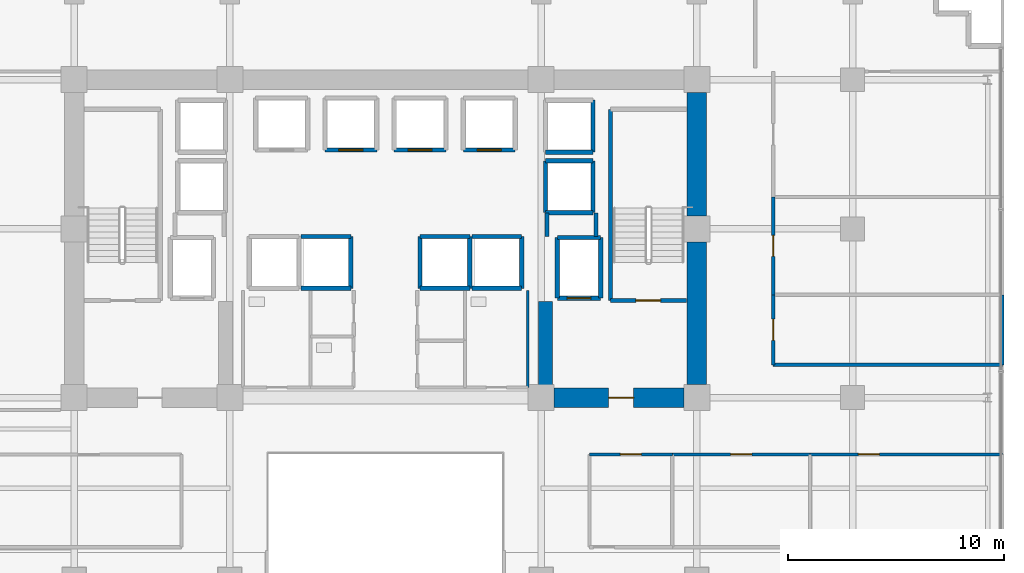
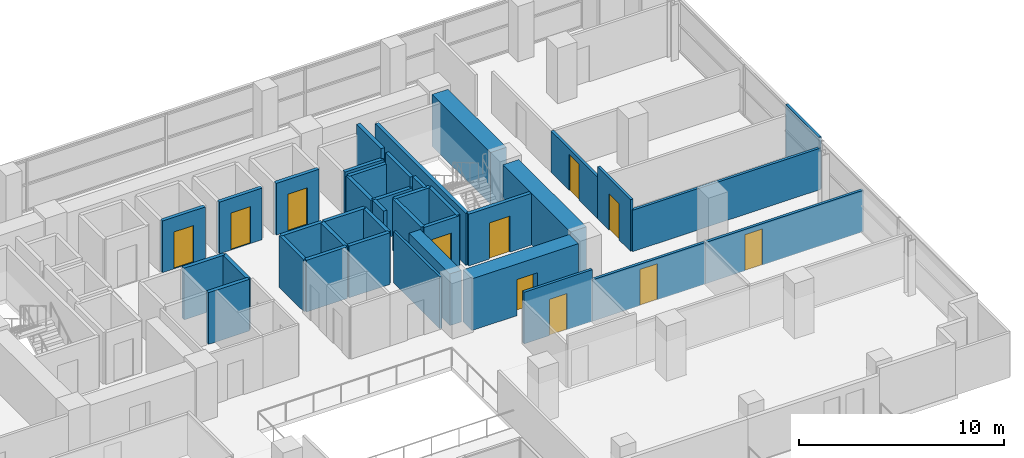
# One storey, part 25 of 31: 39 walls, 11 doors, 11 openings.
"""IFC4 building model written with IfcOpenShell, lengths in metres."""

from ifc_helpers import new_model, si_unit, direction, frame, frame_2d, origin, place, context, subcontext, project, spatial, rectangle, extrude, source, transform, mapped, material, layer, layer_set, type_object, element, fill, save


model = new_model("IFC4")

# Units and contexts
model_context = context("Model", 3, precision=1e-05, world=origin(), true_north=direction((0.0, 1.0)))
body_context = subcontext(model_context, "Body", "Model", "MODEL_VIEW")
ifc_project = project(units=[si_unit("LENGTHUNIT", "METRE"), si_unit("AREAUNIT", "SQUARE_METRE"), si_unit("VOLUMEUNIT", "CUBIC_METRE"), si_unit("PLANEANGLEUNIT", "RADIAN"), si_unit("MASSUNIT", "GRAM", prefix="KILO")], contexts=[model_context])

# Site, building, storey
site_placement = place(None, origin())
site = spatial("IfcSite", under=ifc_project, at=site_placement, CompositionType="ELEMENT")
building_placement = place(site_placement, origin())
building = spatial("IfcBuilding", under=site, at=building_placement, Name="Zarnakvel Exchange Tower", CompositionType="ELEMENT")
storey_placement = place(building_placement, frame((0.0, 0.0, 47.199951171875)))
storey = spatial("IfcBuildingStorey", under=building, at=storey_placement, Name="L12", CompositionType="ELEMENT", Elevation=47.199951171875)

# Walls
ifc_material_1 = material(Name="Concrete C80/95", Category="concrete")
ifc_layer_1 = layer(ifc_material_1, 0.89990234375)
ifc_layer_set_1 = layer_set([ifc_layer_1], Name="Concrete C80/95")
wall_type_1 = type_object("IfcWallType", Name="CW-C1", PredefinedType="SHEAR", material=ifc_layer_set_1)
wall_1_placement = place(storey_placement, frame((14.39990234375, -0.60009765625, 0.0), z_axis=(0.0, 0.0, 1.0), x_axis=(0.0, 1.0, 0.0)))
element("IfcWall", 1, at=wall_1_placement, inside=storey, type_object=wall_type_1, Name="L12 Rear Core Shear Wall E1 (CW-C1)", PredefinedType="SHEAR", context=body_context, shape_type="SweptSolid", body=[
    extrude(rectangle(XDim=6.60009765625, YDim=0.89990234375, at=frame_2d((3.300048828125, 0.0))), origin(), (0.0, 0.0, 1.0), 3.074951171875),
])
wall_2_placement = place(storey_placement, frame((14.39990234375, 7.199951171875, 0.0), z_axis=(0.0, 0.0, 1.0), x_axis=(0.0, 1.0, 0.0)))
element("IfcWall", 2, at=wall_2_placement, inside=storey, type_object=wall_type_1, Name="L12 Rear Core Shear Wall E2 (CW-C1)", PredefinedType="SHEAR", context=body_context, shape_type="SweptSolid", body=[
    extrude(rectangle(XDim=5.699951171875, YDim=0.89990234375, at=frame_2d((2.85009765625, 0.0))), origin(), (0.0, 0.0, 1.0), 3.074951171875),
])

# Wall, opening, door
wall_3_placement = place(storey_placement, frame((13.800048828125, -1.199951171875, 0.0), z_axis=(0.0, 0.0, 1.0), x_axis=(-1.0, 0.0, 0.0)))
wall_3 = element("IfcWall", 3, at=wall_3_placement, inside=storey, type_object=wall_type_1, Name="L12 Rear Core Shear Wall SE (CW-C1)", PredefinedType="SHEAR", context=body_context, shape_type="SweptSolid", body=[
    extrude(rectangle(XDim=6.0, YDim=0.89990234375, at=frame_2d((3.0, 0.0))), origin(), (0.0, 0.0, 1.0), 3.074951171875),
])
opening_1_placement = place(wall_3_placement, frame((2.324951171875, 0.0, 0.0)))
opening_1 = element("IfcOpeningElement", 4, at=opening_1_placement, cuts=wall_3, Name="Opening D-L12-04", PredefinedType="OPENING", context=body_context, shape_type="SweptSolid", body=[
    extrude(rectangle(XDim=1.14990234375, YDim=2.14990234375, at=frame_2d((0.574951171875, 1.074951171875))), frame((0.0, 0.4599609375, 0.0), z_axis=(0.0, -1.0, 0.0), x_axis=(1.0, 0.0, 0.0)), (0.0, 0.0, 1.0), 0.919921875),
])
ifc_material_2 = material(Name="Painted Galvanised Steel S355", Category="steel")
door_type_1 = type_object("IfcDoorType", Name="DT-04", OperationType="NOTDEFINED", PredefinedType="DOOR", material=ifc_material_2)
shared_shape_1 = source(origin(), body_context, "Body", "SweptSolid", [
    extrude(rectangle(XDim=1.14990234375, YDim=2.14990234375, at=frame_2d((0.574951171875, 1.074951171875))), frame((0.0, 0.02490234375, 0.0), z_axis=(0.0, -1.0, 0.0), x_axis=(1.0, 0.0, 0.0)), (0.0, 0.0, 1.0), 0.050048828125),
])
door_1_placement = place(opening_1_placement, origin())
door_1 = element("IfcDoor", 5, at=door_1_placement, inside=storey, type_object=door_type_1, Name="L12 Firefighting Lobby East Door D-L12-04", OperationType="SINGLE_SWING_RIGHT", OverallHeight=2.14990234375, OverallWidth=1.14990234375, PredefinedType="DOOR", context=body_context, shape_type="MappedRepresentation", body=[
    mapped(shared_shape_1, transform((0.0, 0.0, 0.0), x_axis=(1.0, 0.0, 0.0), y_axis=(0.0, 1.0, 0.0), z_axis=(0.0, 0.0, 1.0), scale=1.0)),
])
fill(opening_1, door_1)

# Wall
ifc_layer_2 = layer(ifc_material_1, 0.64990234375)
ifc_layer_set_2 = layer_set([ifc_layer_2], Name="Concrete C80/95")
wall_type_2 = type_object("IfcWallType", Name="CW-C2", PredefinedType="SHEAR", material=ifc_layer_set_2)
wall_4_placement = place(storey_placement, frame((7.39990234375, -0.75, 0.0), z_axis=(0.0, 0.0, 1.0), x_axis=(0.0, 1.0, 0.0)))
element("IfcWall", 6, at=wall_4_placement, inside=storey, type_object=wall_type_2, Name="L12 Rear Core Shear Wall IE (CW-C2)", PredefinedType="SHEAR", context=body_context, shape_type="SweptSolid", body=[
    extrude(rectangle(XDim=4.0, YDim=0.64990234375, at=frame_2d((2.0, 0.0))), origin(), (0.0, 0.0, 1.0), 3.074951171875),
])

# Wall, opening, door
ifc_material_3 = material(Name="Fire-Rated Gypsum Stud Partition", Category="gypsum")
ifc_layer_3 = layer(ifc_material_3, 0.14990234375)
ifc_layer_set_3 = layer_set([ifc_layer_3], Name="Fire-Rated Gypsum Stud Partition")
wall_type_3 = type_object("IfcWallType", Name="PT-01", PredefinedType="PARTITIONING", material=ifc_layer_set_3)
wall_5_placement = place(storey_placement, frame((9.429931640625, -3.830078125, 0.0), z_axis=(0.0, 0.0, 1.0), x_axis=(1.0, 0.0, 0.0)))
wall_5 = element("IfcWall", 7, at=wall_5_placement, inside=storey, type_object=wall_type_3, Name="L12 Partition Wall PWALL-L12-037 (PT-01)", PredefinedType="PARTITIONING", context=body_context, shape_type="SweptSolid", body=[
    extrude(rectangle(XDim=3.838134765625, YDim=0.14990234375, at=frame_2d((1.9189453125, 0.0))), origin(), (0.0, 0.0, 1.0), 3.074951171875),
])
opening_2_placement = place(wall_5_placement, frame((1.428955078125, 0.0, 0.0)))
opening_2 = element("IfcOpeningElement", 8, at=opening_2_placement, cuts=wall_5, Name="Opening D-L12-14", PredefinedType="OPENING", context=body_context, shape_type="SweptSolid", body=[
    extrude(rectangle(XDim=0.97998046875, YDim=2.14990234375, at=frame_2d((0.489990234375, 1.074951171875))), frame((0.0, 0.0849609375, 0.0), z_axis=(0.0, -1.0, 0.0), x_axis=(1.0, 0.0, 0.0)), (0.0, 0.0, 1.0), 0.169921875),
])
ifc_material_4 = material(Name="Timber Acoustic Veneer", Category="wood")
door_type_2 = type_object("IfcDoorType", Name="DT-05", OperationType="NOTDEFINED", PredefinedType="DOOR", material=ifc_material_4)
shared_shape_2 = source(origin(), body_context, "Body", "SweptSolid", [
    extrude(rectangle(XDim=0.97998046875, YDim=2.14990234375, at=frame_2d((0.489990234375, 1.074951171875))), frame((0.0, 0.02490234375, 0.0), z_axis=(0.0, -1.0, 0.0), x_axis=(1.0, 0.0, 0.0)), (0.0, 0.0, 1.0), 0.050048828125),
])
door_2_placement = place(opening_2_placement, origin())
door_2 = element("IfcDoor", 9, at=door_2_placement, inside=storey, type_object=door_type_2, Name="L12 Conference Room Door D-L12-14", OperationType="SINGLE_SWING_RIGHT", OverallHeight=2.14990234375, OverallWidth=0.97998046875, PredefinedType="DOOR", context=body_context, shape_type="MappedRepresentation", body=[
    mapped(shared_shape_2, transform((0.0, 0.0, 0.0), x_axis=(1.0, 0.0, 0.0), y_axis=(0.0, 1.0, 0.0), z_axis=(0.0, 0.0, 1.0), scale=1.0)),
])
fill(opening_2, door_2)

wall_6_placement = place(storey_placement, frame((13.26806640625, -3.830078125, 0.0), z_axis=(0.0, 0.0, 1.0), x_axis=(1.0, 0.0, 0.0)))
wall_6 = element("IfcWall", 10, at=wall_6_placement, inside=storey, type_object=wall_type_3, Name="L12 Partition Wall PWALL-L12-041 (PT-01)", PredefinedType="PARTITIONING", context=body_context, shape_type="SweptSolid", body=[
    extrude(rectangle(XDim=6.36669921875, YDim=0.14990234375, at=frame_2d((3.183349609375, 0.0))), origin(), (0.0, 0.0, 1.0), 2.465087890625),
])
opening_3_placement = place(wall_6_placement, frame((2.693115234375, 0.0, 0.0)))
opening_3 = element("IfcOpeningElement", 11, at=opening_3_placement, cuts=wall_6, Name="Opening D-L12-15", PredefinedType="OPENING", context=body_context, shape_type="SweptSolid", body=[
    extrude(rectangle(XDim=0.97998046875, YDim=2.14990234375, at=frame_2d((0.489990234375, 1.074951171875))), frame((0.0, 0.0849609375, 0.0), z_axis=(0.0, -1.0, 0.0), x_axis=(1.0, 0.0, 0.0)), (0.0, 0.0, 1.0), 0.169921875),
])
door_3_placement = place(opening_3_placement, origin())
door_3 = element("IfcDoor", 12, at=door_3_placement, inside=storey, type_object=door_type_2, Name="L12 Executive Suite Door D-L12-15", OperationType="SINGLE_SWING_LEFT", OverallHeight=2.14990234375, OverallWidth=0.97998046875, PredefinedType="DOOR", context=body_context, shape_type="MappedRepresentation", body=[
    mapped(shared_shape_2, transform((0.0, 0.0, 0.0), x_axis=(1.0, 0.0, 0.0), y_axis=(0.0, 1.0, 0.0), z_axis=(0.0, 0.0, 1.0), scale=1.0)),
])
fill(opening_3, door_3)

wall_7_placement = place(storey_placement, frame((19.634765625, -3.830078125, 0.0), z_axis=(0.0, 0.0, 1.0), x_axis=(1.0, 0.0, 0.0)))
wall_7 = element("IfcWall", 13, at=wall_7_placement, inside=storey, type_object=wall_type_3, Name="L12 Partition Wall PWALL-L12-044 (PT-01)", PredefinedType="PARTITIONING", context=body_context, shape_type="SweptSolid", body=[
    extrude(rectangle(XDim=8.895263671875, YDim=0.14990234375, at=frame_2d((4.44775390625, 0.0))), origin(), (0.0, 0.0, 1.0), 2.465087890625),
])
opening_4_placement = place(wall_7_placement, frame((2.232421875, 0.0, 0.0)))
opening_4 = element("IfcOpeningElement", 14, at=opening_4_placement, cuts=wall_7, Name="Opening D-L12-16", PredefinedType="OPENING", context=body_context, shape_type="SweptSolid", body=[
    extrude(rectangle(XDim=0.97998046875, YDim=2.14990234375, at=frame_2d((0.489990234375, 1.074951171875))), frame((0.0, 0.0849609375, 0.0), z_axis=(0.0, -1.0, 0.0), x_axis=(1.0, 0.0, 0.0)), (0.0, 0.0, 1.0), 0.169921875),
])
door_4_placement = place(opening_4_placement, origin())
door_4 = element("IfcDoor", 15, at=door_4_placement, inside=storey, type_object=door_type_2, Name="L12 Staff Pantry Door D-L12-16", OperationType="SINGLE_SWING_RIGHT", OverallHeight=2.14990234375, OverallWidth=0.97998046875, PredefinedType="DOOR", context=body_context, shape_type="MappedRepresentation", body=[
    mapped(shared_shape_2, transform((0.0, 0.0, 0.0), x_axis=(1.0, 0.0, 0.0), y_axis=(0.0, 1.0, 0.0), z_axis=(0.0, 0.0, 1.0), scale=1.0)),
])
fill(opening_4, door_4)

# Wall
wall_8_placement = place(storey_placement, frame((28.530029296875, 0.314453125, 0.0), z_axis=(0.0, 0.0, 1.0), x_axis=(-1.0, 0.0, 0.0)))
element("IfcWall", 16, at=wall_8_placement, inside=storey, type_object=wall_type_3, Name="L12 Partition Wall PWALL-L12-055 (PT-01)", PredefinedType="PARTITIONING", context=body_context, shape_type="SweptSolid", body=[
    extrude(rectangle(XDim=10.60009765625, YDim=0.14990234375, at=frame_2d((5.300048828125, 0.0))), origin(), (0.0, 0.0, 1.0), 2.465087890625),
])

# Wall, opening, door
wall_9_placement = place(storey_placement, frame((17.929931640625, 0.314453125, 0.0), z_axis=(0.0, 0.0, 1.0), x_axis=(0.0, 1.0, 0.0)))
wall_9 = element("IfcWall", 17, at=wall_9_placement, inside=storey, type_object=wall_type_3, Name="L12 Partition Wall PWALL-L12-057 (PT-01)", PredefinedType="PARTITIONING", context=body_context, shape_type="SweptSolid", body=[
    extrude(rectangle(XDim=3.239013671875, YDim=0.14990234375, at=frame_2d((1.61962890625, 0.0))), origin(), (0.0, 0.0, 1.0), 3.074951171875),
])
opening_5_placement = place(wall_9_placement, frame((1.129638671875, 0.0, 0.0)))
opening_5 = element("IfcOpeningElement", 18, at=opening_5_placement, cuts=wall_9, Name="Opening D-L12-20", PredefinedType="OPENING", context=body_context, shape_type="SweptSolid", body=[
    extrude(rectangle(XDim=0.97998046875, YDim=2.14990234375, at=frame_2d((0.489990234375, 1.074951171875))), frame((0.0, 0.0849609375, 0.0), z_axis=(0.0, -1.0, 0.0), x_axis=(1.0, 0.0, 0.0)), (0.0, 0.0, 1.0), 0.169921875),
])
door_5_placement = place(opening_5_placement, origin())
door_5 = element("IfcDoor", 19, at=door_5_placement, inside=storey, type_object=door_type_2, Name="L12 Compliance Office Door D-L12-20", OperationType="SINGLE_SWING_RIGHT", OverallHeight=2.14990234375, OverallWidth=0.97998046875, PredefinedType="DOOR", context=body_context, shape_type="MappedRepresentation", body=[
    mapped(shared_shape_2, transform((0.0, 0.0, 0.0), x_axis=(1.0, 0.0, 0.0), y_axis=(0.0, 1.0, 0.0), z_axis=(0.0, 0.0, 1.0), scale=1.0)),
])
fill(opening_5, door_5)

# Wall
wall_10_placement = place(storey_placement, frame((28.530029296875, 3.553466796875, 0.0), z_axis=(0.0, 0.0, 1.0), x_axis=(0.0, -1.0, 0.0)))
element("IfcWall", 20, at=wall_10_placement, inside=storey, type_object=wall_type_3, Name="L12 Partition Wall PWALL-L12-058 (PT-01)", PredefinedType="PARTITIONING", context=body_context, shape_type="SweptSolid", body=[
    extrude(rectangle(XDim=3.239013671875, YDim=0.14990234375, at=frame_2d((1.61962890625, 0.0))), origin(), (0.0, 0.0, 1.0), 3.074951171875),
])

# Wall, opening, door
wall_11_placement = place(storey_placement, frame((17.929931640625, 3.553466796875, 0.0), z_axis=(0.0, 0.0, 1.0), x_axis=(0.0, 1.0, 0.0)))
wall_11 = element("IfcWall", 21, at=wall_11_placement, inside=storey, type_object=wall_type_3, Name="L12 Partition Wall PWALL-L12-060 (PT-01)", PredefinedType="PARTITIONING", context=body_context, shape_type="SweptSolid", body=[
    extrude(rectangle(XDim=4.521728515625, YDim=0.14990234375, at=frame_2d((2.2607421875, 0.0))), origin(), (0.0, 0.0, 1.0), 2.465087890625),
])
opening_6_placement = place(wall_11_placement, frame((1.7705078125, 0.0, 0.0)))
opening_6 = element("IfcOpeningElement", 22, at=opening_6_placement, cuts=wall_11, Name="Opening D-L12-21", PredefinedType="OPENING", context=body_context, shape_type="SweptSolid", body=[
    extrude(rectangle(XDim=0.97998046875, YDim=2.14990234375, at=frame_2d((0.489990234375, 1.074951171875))), frame((0.0, 0.0849609375, 0.0), z_axis=(0.0, -1.0, 0.0), x_axis=(1.0, 0.0, 0.0)), (0.0, 0.0, 1.0), 0.169921875),
])
door_6_placement = place(opening_6_placement, origin())
door_6 = element("IfcDoor", 23, at=door_6_placement, inside=storey, type_object=door_type_2, Name="L12 Client Lounge Door D-L12-21", OperationType="SINGLE_SWING_LEFT", OverallHeight=2.14990234375, OverallWidth=0.97998046875, PredefinedType="DOOR", context=body_context, shape_type="MappedRepresentation", body=[
    mapped(shared_shape_2, transform((0.0, 0.0, 0.0), x_axis=(1.0, 0.0, 0.0), y_axis=(0.0, 1.0, 0.0), z_axis=(0.0, 0.0, 1.0), scale=1.0)),
])
fill(opening_6, door_6)

# Walls
ifc_layer_4 = layer(ifc_material_3, 0.179931640625)
ifc_layer_set_4 = layer_set([ifc_layer_4], Name="Fire-Rated Gypsum Stud Partition")
wall_type_4 = type_object("IfcWallType", Name="PT-02", PredefinedType="PARTITIONING", material=ifc_layer_set_4)
wall_12_placement = place(storey_placement, frame((7.469970703125, 6.239990234375, 0.0), z_axis=(0.0, 0.0, 1.0), x_axis=(0.0, 1.0, 0.0)))
element("IfcWall", 24, at=wall_12_placement, inside=storey, type_object=wall_type_4, Name="L12 Partition Wall PWALL-L12-009 (PT-02)", PredefinedType="PARTITIONING", context=body_context, shape_type="SweptSolid", body=[
    extrude(rectangle(XDim=1.090087890625, YDim=0.179931640625, at=frame_2d((0.544921875, 0.0))), origin(), (0.0, 0.0, 1.0), 2.465087890625),
])
wall_13_placement = place(storey_placement, frame((9.72998046875, 7.330078125, 0.0), z_axis=(0.0, 0.0, 1.0), x_axis=(0.0, -1.0, 0.0)))
element("IfcWall", 25, at=wall_13_placement, inside=storey, type_object=wall_type_4, Name="L12 Partition Wall PWALL-L12-010 (PT-02)", PredefinedType="PARTITIONING", context=body_context, shape_type="SweptSolid", body=[
    extrude(rectangle(XDim=1.090087890625, YDim=0.179931640625, at=frame_2d((0.544921875, 0.0))), origin(), (0.0, 0.0, 1.0), 3.074951171875),
])
ifc_material_5 = material(Name="Moisture-Resistant Tile-Faced Partition", Category="gypsum")
ifc_layer_5 = layer(ifc_material_5, 0.135009765625)
ifc_layer_set_5 = layer_set([ifc_layer_5], Name="Moisture-Resistant Tile-Faced Partition")
wall_type_5 = type_object("IfcWallType", Name="PT-03", PredefinedType="PARTITIONING", material=ifc_layer_set_5)
wall_14_placement = place(storey_placement, frame((6.580078125, 3.760009765625, 0.0), z_axis=(0.0, 0.0, 1.0), x_axis=(0.0, -1.0, 0.0)))
element("IfcWall", 26, at=wall_14_placement, inside=storey, type_object=wall_type_5, Name="L12 Partition Wall PWALL-L12-025 (PT-03)", PredefinedType="PARTITIONING", context=body_context, shape_type="SweptSolid", body=[
    extrude(rectangle(XDim=4.489990234375, YDim=0.135009765625, at=frame_2d((2.2451171875, 0.0))), origin(), (0.0, 0.0, 1.0), 3.074951171875),
])

# Wall, opening, door
ifc_material_6 = material(Name="Concrete C40/50", Category="concrete")
ifc_layer_6 = layer(ifc_material_6, 0.199951171875)
ifc_layer_set_6 = layer_set([ifc_layer_6], Name="Concrete C40/50")
wall_type_6 = type_object("IfcWallType", Name="SW-01", PredefinedType="SOLIDWALL", material=ifc_layer_set_6)
wall_15_placement = place(storey_placement, frame((9.949951171875, 3.39990234375, 0.0), z_axis=(0.0, 0.0, 1.0), x_axis=(-1.0, 0.0, 0.0)))
wall_15 = element("IfcWall", 27, at=wall_15_placement, inside=storey, type_object=wall_type_6, Name="L12 FL-02 Hoistway Wall South", PredefinedType="SOLIDWALL", context=body_context, shape_type="SweptSolid", body=[
    extrude(rectangle(XDim=2.0, YDim=0.199951171875, at=frame_2d((1.0, 0.0))), origin(), (0.0, 0.0, 1.0), 3.074951171875),
])
opening_7_placement = place(wall_15_placement, frame((0.449951171875, 0.0, 0.0)))
opening_7 = element("IfcOpeningElement", 28, at=opening_7_placement, cuts=wall_15, Name="Opening LD-FL-02-L12", PredefinedType="OPENING", context=body_context, shape_type="SweptSolid", body=[
    extrude(rectangle(XDim=1.10009765625, YDim=2.199951171875, at=frame_2d((0.550048828125, 1.10009765625))), frame((0.0, 0.10986328125, 0.0), z_axis=(0.0, -1.0, 0.0), x_axis=(1.0, 0.0, 0.0)), (0.0, 0.0, 1.0), 0.219970703125),
])
ifc_material_7 = material(Name="Brushed Stainless Steel", Category="steel")
door_type_3 = type_object("IfcDoorType", Name="LDT-01", OperationType="NOTDEFINED", PredefinedType="DOOR", material=ifc_material_7)
shared_shape_3 = source(origin(), body_context, "Body", "SweptSolid", [
    extrude(rectangle(XDim=1.10009765625, YDim=2.199951171875, at=frame_2d((0.550048828125, 1.10009765625))), frame((0.0, 0.02490234375, 0.0), z_axis=(0.0, -1.0, 0.0), x_axis=(1.0, 0.0, 0.0)), (0.0, 0.0, 1.0), 0.050048828125),
])
door_7_placement = place(opening_7_placement, origin())
door_7 = element("IfcDoor", 29, at=door_7_placement, inside=storey, type_object=door_type_3, Name="L12 FL-02 Lift Landing Door LD-FL-02-L12", OperationType="DOUBLE_DOOR_SLIDING", OverallHeight=2.199951171875, OverallWidth=1.10009765625, PredefinedType="DOOR", context=body_context, shape_type="MappedRepresentation", body=[
    mapped(shared_shape_3, transform((0.0, 0.0, 0.0), x_axis=(1.0, 0.0, 0.0), y_axis=(0.0, 1.0, 0.0), z_axis=(0.0, 0.0, 1.0), scale=1.0)),
])
fill(opening_7, door_7)

# Walls
wall_16_placement = place(storey_placement, frame((7.949951171875, 6.199951171875, 0.0), z_axis=(0.0, 0.0, 1.0), x_axis=(1.0, 0.0, 0.0)))
element("IfcWall", 30, at=wall_16_placement, inside=storey, type_object=wall_type_6, Name="L12 FL-02 Hoistway Wall North", PredefinedType="SOLIDWALL", context=body_context, shape_type="SweptSolid", body=[
    extrude(rectangle(XDim=2.0, YDim=0.199951171875, at=frame_2d((1.0, 0.0))), origin(), (0.0, 0.0, 1.0), 3.074951171875),
])
for number, where, z_axis, x_axis, name in (
    (31, (7.949951171875, 3.39990234375, 0.0), (0.0, 0.0, 1.0), (0.0, 1.0, 0.0), "L12 FL-02 Hoistway Wall West"),
    (32, (9.949951171875, 6.199951171875, 0.0), (0.0, 0.0, 1.0), (0.0, -1.0, 0.0), "L12 FL-02 Hoistway Wall East"),
):
    element("IfcWall", number, at=place(storey_placement, frame(where, z_axis=z_axis, x_axis=x_axis)), inside=storey, type_object=wall_type_6, Name=name, PredefinedType="SOLIDWALL", context=body_context, shape_type="SweptSolid", body=[
        extrude(rectangle(XDim=2.800048828125, YDim=0.199951171875, at=frame_2d((1.39990234375, 0.0))), origin(), (0.0, 0.0, 1.0), 3.074951171875),
    ])

# Wall, opening, door
wall_17_placement = place(storey_placement, frame((-0.39990234375, 10.25, 0.0), z_axis=(0.0, 0.0, 1.0), x_axis=(-1.0, 0.0, 0.0)))
wall_17 = element("IfcWall", 33, at=wall_17_placement, inside=storey, type_object=wall_type_6, Name="L12 PL-02 Hoistway Wall South", PredefinedType="SOLIDWALL", context=body_context, shape_type="SweptSolid", body=[
    extrude(rectangle(XDim=2.400146484375, YDim=0.199951171875, at=frame_2d((1.2001953125, 0.0))), origin(), (0.0, 0.0, 1.0), 3.074951171875),
])
opening_8_placement = place(wall_17_placement, frame((0.64990234375, 0.0, 0.0)))
opening_8 = element("IfcOpeningElement", 34, at=opening_8_placement, cuts=wall_17, Name="Opening LD-PL-02-L12", PredefinedType="OPENING", context=body_context, shape_type="SweptSolid", body=[
    extrude(rectangle(XDim=1.10009765625, YDim=2.199951171875, at=frame_2d((0.550048828125, 1.10009765625))), frame((0.0, 0.10986328125, 0.0), z_axis=(0.0, -1.0, 0.0), x_axis=(1.0, 0.0, 0.0)), (0.0, 0.0, 1.0), 0.219970703125),
])
ifc_material_8 = material(Name="Architectural Bronze Anodised Aluminium", Category="aluminium")
door_type_4 = type_object("IfcDoorType", Name="LDT-02", OperationType="NOTDEFINED", PredefinedType="DOOR", material=ifc_material_8)
door_8_placement = place(opening_8_placement, origin())
door_8 = element("IfcDoor", 35, at=door_8_placement, inside=storey, type_object=door_type_4, Name="L12 PL-02 Lift Landing Door LD-PL-02-L12", OperationType="DOUBLE_DOOR_SLIDING", OverallHeight=2.199951171875, OverallWidth=1.10009765625, PredefinedType="DOOR", context=body_context, shape_type="MappedRepresentation", body=[
    mapped(shared_shape_3, transform((0.0, 0.0, 0.0), x_axis=(1.0, 0.0, 0.0), y_axis=(0.0, 1.0, 0.0), z_axis=(0.0, 0.0, 1.0), scale=1.0)),
])
fill(opening_8, door_8)

wall_18_placement = place(storey_placement, frame((2.800048828125, 10.25, 0.0), z_axis=(0.0, 0.0, 1.0), x_axis=(-1.0, 0.0, 0.0)))
wall_18 = element("IfcWall", 36, at=wall_18_placement, inside=storey, type_object=wall_type_6, Name="L12 PL-03 Hoistway Wall South", PredefinedType="SOLIDWALL", context=body_context, shape_type="SweptSolid", body=[
    extrude(rectangle(XDim=2.400146484375, YDim=0.199951171875, at=frame_2d((1.2001953125, 0.0))), origin(), (0.0, 0.0, 1.0), 3.074951171875),
])
opening_9_placement = place(wall_18_placement, frame((0.64990234375, 0.0, 0.0)))
opening_9 = element("IfcOpeningElement", 37, at=opening_9_placement, cuts=wall_18, Name="Opening LD-PL-03-L12", PredefinedType="OPENING", context=body_context, shape_type="SweptSolid", body=[
    extrude(rectangle(XDim=1.10009765625, YDim=2.199951171875, at=frame_2d((0.550048828125, 1.10009765625))), frame((0.0, 0.10986328125, 0.0), z_axis=(0.0, -1.0, 0.0), x_axis=(1.0, 0.0, 0.0)), (0.0, 0.0, 1.0), 0.219970703125),
])
door_9_placement = place(opening_9_placement, origin())
door_9 = element("IfcDoor", 38, at=door_9_placement, inside=storey, type_object=door_type_4, Name="L12 PL-03 Lift Landing Door LD-PL-03-L12", OperationType="DOUBLE_DOOR_SLIDING", OverallHeight=2.199951171875, OverallWidth=1.10009765625, PredefinedType="DOOR", context=body_context, shape_type="MappedRepresentation", body=[
    mapped(shared_shape_3, transform((0.0, 0.0, 0.0), x_axis=(1.0, 0.0, 0.0), y_axis=(0.0, 1.0, 0.0), z_axis=(0.0, 0.0, 1.0), scale=1.0)),
])
fill(opening_9, door_9)

wall_19_placement = place(storey_placement, frame((6.0, 10.25, 0.0), z_axis=(0.0, 0.0, 1.0), x_axis=(-1.0, 0.0, 0.0)))
wall_19 = element("IfcWall", 39, at=wall_19_placement, inside=storey, type_object=wall_type_6, Name="L12 PL-04 Hoistway Wall South", PredefinedType="SOLIDWALL", context=body_context, shape_type="SweptSolid", body=[
    extrude(rectangle(XDim=2.39990234375, YDim=0.199951171875, at=frame_2d((1.199951171875, 0.0))), origin(), (0.0, 0.0, 1.0), 3.074951171875),
])
opening_10_placement = place(wall_19_placement, frame((0.64990234375, 0.0, 0.0)))
opening_10 = element("IfcOpeningElement", 40, at=opening_10_placement, cuts=wall_19, Name="Opening LD-PL-04-L12", PredefinedType="OPENING", context=body_context, shape_type="SweptSolid", body=[
    extrude(rectangle(XDim=1.10009765625, YDim=2.199951171875, at=frame_2d((0.550048828125, 1.10009765625))), frame((0.0, 0.10986328125, 0.0), z_axis=(0.0, -1.0, 0.0), x_axis=(1.0, 0.0, 0.0)), (0.0, 0.0, 1.0), 0.219970703125),
])
door_10_placement = place(opening_10_placement, origin())
door_10 = element("IfcDoor", 41, at=door_10_placement, inside=storey, type_object=door_type_4, Name="L12 PL-04 Lift Landing Door LD-PL-04-L12", OperationType="DOUBLE_DOOR_SLIDING", OverallHeight=2.199951171875, OverallWidth=1.10009765625, PredefinedType="DOOR", context=body_context, shape_type="MappedRepresentation", body=[
    mapped(shared_shape_3, transform((0.0, 0.0, 0.0), x_axis=(1.0, 0.0, 0.0), y_axis=(0.0, 1.0, 0.0), z_axis=(0.0, 0.0, 1.0), scale=1.0)),
])
fill(opening_10, door_10)

# Walls
for number, where, z_axis, x_axis, name in (
    (42, (-1.60009765625, 3.85009765625, 0.0), (0.0, 0.0, 1.0), (-1.0, 0.0, 0.0), "L12 PL-06 Hoistway Wall South"),
    (43, (-3.89990234375, 6.25, 0.0), (0.0, 0.0, 1.0), (1.0, 0.0, 0.0), "L12 PL-06 Hoistway Wall North"),
):
    element("IfcWall", number, at=place(storey_placement, frame(where, z_axis=z_axis, x_axis=x_axis)), inside=storey, type_object=wall_type_6, Name=name, PredefinedType="SOLIDWALL", context=body_context, shape_type="SweptSolid", body=[
        extrude(rectangle(XDim=2.2998046875, YDim=0.199951171875, at=frame_2d((1.14990234375, 0.0))), origin(), (0.0, 0.0, 1.0), 3.074951171875),
    ])
wall_20_placement = place(storey_placement, frame((-1.60009765625, 6.25, 0.0), z_axis=(0.0, 0.0, 1.0), x_axis=(0.0, -1.0, 0.0)))
element("IfcWall", 44, at=wall_20_placement, inside=storey, type_object=wall_type_6, Name="L12 PL-06 Hoistway Wall East", PredefinedType="SOLIDWALL", context=body_context, shape_type="SweptSolid", body=[
    extrude(rectangle(XDim=2.39990234375, YDim=0.199951171875, at=frame_2d((1.199951171875, 0.0))), origin(), (0.0, 0.0, 1.0), 3.074951171875),
])
for number, where, z_axis, x_axis, name in (
    (45, (3.89990234375, 3.85009765625, 0.0), (0.0, 0.0, 1.0), (-1.0, 0.0, 0.0), "L12 PL-07 Hoistway Wall South"),
    (46, (1.60009765625, 6.25, 0.0), (0.0, 0.0, 1.0), (1.0, 0.0, 0.0), "L12 PL-07 Hoistway Wall North"),
):
    element("IfcWall", number, at=place(storey_placement, frame(where, z_axis=z_axis, x_axis=x_axis)), inside=storey, type_object=wall_type_6, Name=name, PredefinedType="SOLIDWALL", context=body_context, shape_type="SweptSolid", body=[
        extrude(rectangle(XDim=2.2998046875, YDim=0.199951171875, at=frame_2d((1.14990234375, 0.0))), origin(), (0.0, 0.0, 1.0), 3.074951171875),
    ])
for number, where, z_axis, x_axis, name in (
    (47, (1.60009765625, 3.85009765625, 0.0), (0.0, 0.0, 1.0), (0.0, 1.0, 0.0), "L12 PL-07 Hoistway Wall West"),
    (48, (3.89990234375, 6.25, 0.0), (0.0, 0.0, 1.0), (0.0, -1.0, 0.0), "L12 PL-07 Hoistway Wall East"),
):
    element("IfcWall", number, at=place(storey_placement, frame(where, z_axis=z_axis, x_axis=x_axis)), inside=storey, type_object=wall_type_6, Name=name, PredefinedType="SOLIDWALL", context=body_context, shape_type="SweptSolid", body=[
        extrude(rectangle(XDim=2.39990234375, YDim=0.199951171875, at=frame_2d((1.199951171875, 0.0))), origin(), (0.0, 0.0, 1.0), 3.074951171875),
    ])
for number, where, z_axis, x_axis, name in (
    (49, (6.300048828125, 3.85009765625, 0.0), (0.0, 0.0, 1.0), (-1.0, 0.0, 0.0), "L12 PL-08 Hoistway Wall South"),
    (50, (4.0, 6.25, 0.0), (0.0, 0.0, 1.0), (1.0, 0.0, 0.0), "L12 PL-08 Hoistway Wall North"),
):
    element("IfcWall", number, at=place(storey_placement, frame(where, z_axis=z_axis, x_axis=x_axis)), inside=storey, type_object=wall_type_6, Name=name, PredefinedType="SOLIDWALL", context=body_context, shape_type="SweptSolid", body=[
        extrude(rectangle(XDim=2.300048828125, YDim=0.199951171875, at=frame_2d((1.14990234375, 0.0))), origin(), (0.0, 0.0, 1.0), 3.074951171875),
    ])
wall_21_placement = place(storey_placement, frame((6.300048828125, 6.25, 0.0), z_axis=(0.0, 0.0, 1.0), x_axis=(0.0, -1.0, 0.0)))
element("IfcWall", 51, at=wall_21_placement, inside=storey, type_object=wall_type_6, Name="L12 PL-08 Hoistway Wall East", PredefinedType="SOLIDWALL", context=body_context, shape_type="SweptSolid", body=[
    extrude(rectangle(XDim=2.39990234375, YDim=0.199951171875, at=frame_2d((1.199951171875, 0.0))), origin(), (0.0, 0.0, 1.0), 3.074951171875),
])
for number, where, z_axis, x_axis, name in (
    (52, (9.60009765625, 7.35009765625, 0.0), (0.0, 0.0, 1.0), (-1.0, 0.0, 0.0), "L12 PL-11 Hoistway Wall South"),
    (53, (7.39990234375, 9.75, 0.0), (0.0, 0.0, 1.0), (1.0, 0.0, 0.0), "L12 PL-11 Hoistway Wall North"),
):
    element("IfcWall", number, at=place(storey_placement, frame(where, z_axis=z_axis, x_axis=x_axis)), inside=storey, type_object=wall_type_6, Name=name, PredefinedType="SOLIDWALL", context=body_context, shape_type="SweptSolid", body=[
        extrude(rectangle(XDim=2.2001953125, YDim=0.199951171875, at=frame_2d((1.10009765625, 0.0))), origin(), (0.0, 0.0, 1.0), 2.465087890625),
    ])
wall_22_placement = place(storey_placement, frame((7.39990234375, 7.35009765625, 0.0), z_axis=(0.0, 0.0, 1.0), x_axis=(0.0, 1.0, 0.0)))
element("IfcWall", 54, at=wall_22_placement, inside=storey, type_object=wall_type_6, Name="L12 PL-11 Hoistway Wall West", PredefinedType="SOLIDWALL", context=body_context, shape_type="SweptSolid", body=[
    extrude(rectangle(XDim=2.39990234375, YDim=0.199951171875, at=frame_2d((1.199951171875, 0.0))), origin(), (0.0, 0.0, 1.0), 2.465087890625),
])
wall_23_placement = place(storey_placement, frame((9.60009765625, 9.75, 0.0), z_axis=(0.0, 0.0, 1.0), x_axis=(0.0, -1.0, 0.0)))
element("IfcWall", 55, at=wall_23_placement, inside=storey, type_object=wall_type_6, Name="L12 PL-11 Hoistway Wall East", PredefinedType="SOLIDWALL", context=body_context, shape_type="SweptSolid", body=[
    extrude(rectangle(XDim=2.39990234375, YDim=0.199951171875, at=frame_2d((1.199951171875, 0.0))), origin(), (0.0, 0.0, 1.0), 3.074951171875),
])
wall_24_placement = place(storey_placement, frame((9.60009765625, 10.14990234375, 0.0), z_axis=(0.0, 0.0, 1.0), x_axis=(-1.0, 0.0, 0.0)))
element("IfcWall", 56, at=wall_24_placement, inside=storey, type_object=wall_type_6, Name="L12 PL-12 Hoistway Wall South", PredefinedType="SOLIDWALL", context=body_context, shape_type="SweptSolid", body=[
    extrude(rectangle(XDim=2.2001953125, YDim=0.199951171875, at=frame_2d((1.10009765625, 0.0))), origin(), (0.0, 0.0, 1.0), 2.465087890625),
])
wall_25_placement = place(storey_placement, frame((9.60009765625, 12.550048828125, 0.0), z_axis=(0.0, 0.0, 1.0), x_axis=(0.0, -1.0, 0.0)))
element("IfcWall", 57, at=wall_25_placement, inside=storey, type_object=wall_type_6, Name="L12 PL-12 Hoistway Wall East", PredefinedType="SOLIDWALL", context=body_context, shape_type="SweptSolid", body=[
    extrude(rectangle(XDim=2.400146484375, YDim=0.199951171875, at=frame_2d((1.2001953125, 0.0))), origin(), (0.0, 0.0, 1.0), 3.074951171875),
])

# Wall, opening, door
ifc_layer_7 = layer(ifc_material_6, 0.199951171875)
ifc_layer_set_7 = layer_set([ifc_layer_7], Name="Concrete C40/50")
wall_type_7 = type_object("IfcWallType", Name="SW-02", PredefinedType="SOLIDWALL", material=ifc_layer_set_7)
wall_26_placement = place(storey_placement, frame((13.929931640625, 3.2900390625, 0.0), z_axis=(0.0, 0.0, 1.0), x_axis=(-1.0, 0.0, 0.0)))
wall_26 = element("IfcWall", 58, at=wall_26_placement, inside=storey, type_object=wall_type_7, Name="L12 Stairwell Core Wall PWALL-L12-004 (SW-02)", PredefinedType="SOLIDWALL", context=body_context, shape_type="SweptSolid", body=[
    extrude(rectangle(XDim=3.52001953125, YDim=0.199951171875, at=frame_2d((1.760009765625, 0.0))), origin(), (0.0, 0.0, 1.0), 3.074951171875),
])
opening_11_placement = place(wall_26_placement, frame((1.205078125, 0.0, 0.0)))
opening_11 = element("IfcOpeningElement", 59, at=opening_11_placement, cuts=wall_26, Name="Opening D-L12-02", PredefinedType="OPENING", context=body_context, shape_type="SweptSolid", body=[
    extrude(rectangle(XDim=1.14990234375, YDim=2.14990234375, at=frame_2d((0.574951171875, 1.074951171875))), frame((0.0, 0.10986328125, 0.0), z_axis=(0.0, -1.0, 0.0), x_axis=(1.0, 0.0, 0.0)), (0.0, 0.0, 1.0), 0.219970703125),
])
door_11_placement = place(opening_11_placement, origin())
door_11 = element("IfcDoor", 60, at=door_11_placement, inside=storey, type_object=door_type_1, Name="L12 Stairwell ST-02 Door D-L12-02", OperationType="SINGLE_SWING_RIGHT", OverallHeight=2.14990234375, OverallWidth=1.14990234375, PredefinedType="DOOR", context=body_context, shape_type="MappedRepresentation", body=[
    mapped(shared_shape_1, transform((0.0, 0.0, 0.0), x_axis=(1.0, 0.0, 0.0), y_axis=(0.0, 1.0, 0.0), z_axis=(0.0, 0.0, 1.0), scale=1.0)),
])
fill(opening_11, door_11)

# Wall
wall_27_placement = place(storey_placement, frame((10.409912109375, 3.2900390625, 0.0), z_axis=(0.0, 0.0, 1.0), x_axis=(0.0, 1.0, 0.0)))
element("IfcWall", 61, at=wall_27_placement, inside=storey, type_object=wall_type_7, Name="L12 Stairwell Core Wall PWALL-L12-006 (SW-02)", PredefinedType="SOLIDWALL", context=body_context, shape_type="SweptSolid", body=[
    extrude(rectangle(XDim=8.83984375, YDim=0.199951171875, at=frame_2d((4.419921875, 0.0))), origin(), (0.0, 0.0, 1.0), 3.074951171875),
])

save(model, "model.ifc")
